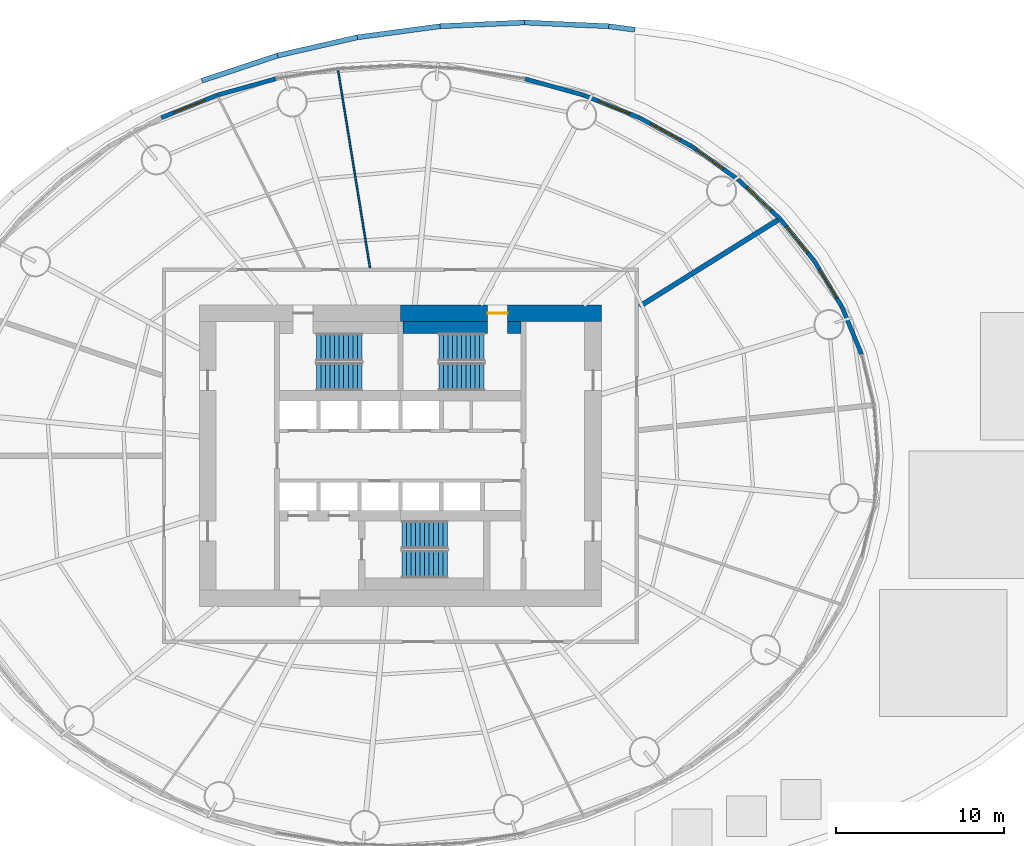
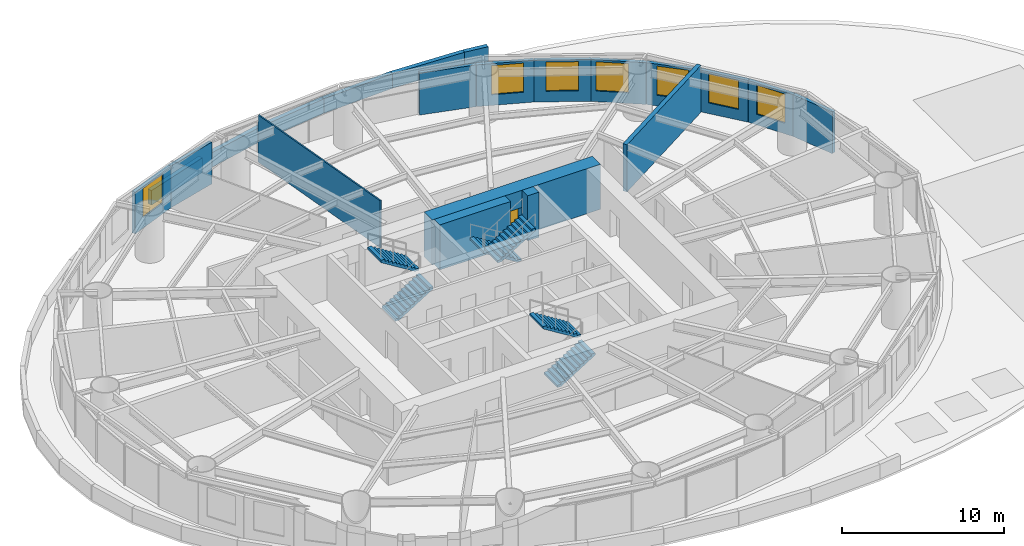
# One storey, part 10 of 11: 21 walls, 7 windows, 6 stair flights, 1 door, 8 openings, 3 elements without a shape of their own.
"""IFC4 building model written with IfcOpenShell, lengths in metres."""

from ifc_helpers import new_model, si_unit, direction, frame, frame_2d, origin, place, context, subcontext, project, spatial, polyline, rectangle, outline, extrude, material, layer, layer_set, type_object, element, fill, aggregate, save


model = new_model("IFC4")

# Units and contexts
model_context = context("Model", 3, precision=1e-05, world=origin(), true_north=direction((0.0, 1.0)))
body_context = subcontext(model_context, "Body", "Model", "MODEL_VIEW")
ifc_project = project(units=[si_unit("LENGTHUNIT", "METRE"), si_unit("AREAUNIT", "SQUARE_METRE"), si_unit("VOLUMEUNIT", "CUBIC_METRE"), si_unit("PLANEANGLEUNIT", "RADIAN"), si_unit("MASSUNIT", "GRAM", prefix="KILO")], contexts=[model_context])

# Site, building, storey
site_placement = place(None, origin())
site = spatial("IfcSite", under=ifc_project, at=site_placement, CompositionType="ELEMENT")
building_placement = place(site_placement, origin())
building = spatial("IfcBuilding", under=site, at=building_placement, Name="Vermilion Reach Broadcast Tower", CompositionType="ELEMENT")
storey_placement = place(building_placement, frame((0.0, 0.0, 36.0)))
storey = spatial("IfcBuildingStorey", under=building, at=storey_placement, Name="L05", CompositionType="ELEMENT", Elevation=36.0)

# Wall, opening, door
ifc_material_1 = material(Name="Concrete C70", Category="concrete")
ifc_layer_1 = layer(ifc_material_1, 1.0)
ifc_layer_set_1 = layer_set([ifc_layer_1], Name="Core outer wall 1000 mm Concrete C70")
wall_type_1 = type_object("IfcWallType", Name="Core outer wall 1000 mm Concrete C70", PredefinedType="SHEAR", material=ifc_layer_set_1)
wall_1_placement = place(storey_placement, frame((6.0, 8.5, 0.0), z_axis=(0.0, 0.0, 1.0), x_axis=(-1.0, 0.0, 0.0)))
wall_1 = element("IfcWall", 1, at=wall_1_placement, inside=storey, type_object=wall_type_1, Name="L05 core wall onE", PredefinedType="SHEAR", context=body_context, shape_type="SweptSolid", body=[
    extrude(rectangle(XDim=12.0, YDim=1.0, at=frame_2d((6.0, 0.0))), origin(), (0.0, 0.0, 1.0), 3.39990234375),
])
opening_1_placement = place(wall_1_placement, frame((5.60009765625, 0.0, 0.0)))
opening_1 = element("IfcOpeningElement", 2, at=opening_1_placement, cuts=wall_1, Name="Opening D01", PredefinedType="OPENING", context=body_context, shape_type="SweptSolid", body=[
    extrude(rectangle(XDim=1.199951171875, YDim=2.10009765625, at=frame_2d((0.60009765625, 1.050048828125))), frame((0.0, 0.510009765625, 0.0), z_axis=(0.0, -1.0, 0.0), x_axis=(1.0, 0.0, 0.0)), (0.0, 0.0, 1.0), 1.02001953125),
])
ifc_material_2 = material(Name="Painted steel fire door", Category="steel")
door_type = type_object("IfcDoorType", Name="Stair door 1200 x 2100", OperationType="DOUBLE_DOOR_SINGLE_SWING", PredefinedType="NOTDEFINED", material=ifc_material_2)
door_placement = place(opening_1_placement, origin())
door = element("IfcDoor", 3, at=door_placement, inside=storey, type_object=door_type, Name="L05 stair door ST2", OperationType="DOUBLE_DOOR_SINGLE_SWING", OverallHeight=2.10009765625, OverallWidth=1.199951171875, PredefinedType="NOTDEFINED", context=body_context, shape_type="SweptSolid", body=[
    extrude(rectangle(XDim=1.199951171875, YDim=2.10009765625, at=frame_2d((0.60009765625, 1.050048828125))), frame((0.0, 0.02490234375, 0.0), z_axis=(0.0, -1.0, 0.0), x_axis=(1.0, 0.0, 0.0)), (0.0, 0.0, 1.0), 0.050048828125),
])
fill(opening_1, door)

# Walls
ifc_material_3 = material(Name="Concrete C70", Category="concrete")
ifc_layer_2 = layer(ifc_material_3, 0.699951171875)
ifc_layer_set_2 = layer_set([ifc_layer_2], Name="Core stair wall 700 mm Concrete C70")
wall_type_2 = type_object("IfcWallType", Name="Core stair wall 700 mm Concrete C70", PredefinedType="SHEAR", material=ifc_layer_set_2)
wall_2_placement = place(storey_placement, frame((-5.85009765625, 7.64990234375, 0.0), z_axis=(0.0, 0.0, 1.0), x_axis=(1.0, 0.0, 0.0)))
element("IfcWall", 4, at=wall_2_placement, inside=storey, type_object=wall_type_2, Name="L05 core wall l2a", PredefinedType="SHEAR", context=body_context, shape_type="SweptSolid", body=[
    extrude(rectangle(XDim=5.050048828125, YDim=0.699951171875, at=frame_2d((2.52490234375, 0.0))), origin(), (0.0, 0.0, 1.0), 3.39990234375),
])
wall_3_placement = place(storey_placement, frame((0.39990234375, 7.64990234375, 0.0), z_axis=(0.0, 0.0, 1.0), x_axis=(1.0, 0.0, 0.0)))
element("IfcWall", 5, at=wall_3_placement, inside=storey, type_object=wall_type_2, Name="L05 core wall l2b", PredefinedType="SHEAR", context=body_context, shape_type="SweptSolid", body=[
    extrude(rectangle(XDim=0.800048828125, YDim=0.699951171875, at=frame_2d((0.39990234375, 0.0))), origin(), (0.0, 0.0, 1.0), 3.39990234375),
])
ifc_material_4 = material(Name="Plasterboard on steel stud", Category="steel")
ifc_layer_3 = layer(ifc_material_4, 0.10009765625)
ifc_layer_set_3 = layer_set([ifc_layer_3], Name="Partition 100 steel stud")
wall_type_3 = type_object("IfcWallType", Name="Partition 100 steel stud", PredefinedType="PARTITIONING", material=ifc_layer_set_3)
wall_4_placement = place(storey_placement, frame((-9.713623046875, 22.9755859375, 0.0), z_axis=(0.0, 0.0, 1.0), x_axis=(0.159567915993, -0.987186953006, 0.0)))
element("IfcWall", 6, at=wall_4_placement, inside=storey, type_object=wall_type_3, Name="Partition 5.03", PredefinedType="PARTITIONING", context=body_context, shape_type="SweptSolid", body=[
    extrude(rectangle(XDim=11.92041015625, YDim=0.10009765625, at=frame_2d((5.960205078125, 0.0))), origin(), (0.0, 0.0, 1.0), 3.550048828125),
])
ifc_material_5 = material(Name="Double-leaf plasterboard on isolated steel stud", Category="steel")
ifc_layer_4 = layer(ifc_material_5, 0.300048828125)
ifc_layer_set_4 = layer_set([ifc_layer_4], Name="Partition 300 acoustic double leaf")
wall_type_4 = type_object("IfcWallType", Name="Partition 300 acoustic double leaf", PredefinedType="PARTITIONING", material=ifc_layer_set_4)
wall_5_placement = place(storey_placement, frame((16.538330078125, 14.076171875, 0.0), z_axis=(0.0, 0.0, 1.0), x_axis=(-0.848172924514, -0.529719444726, 0.0)))
element("IfcWall", 7, at=wall_5_placement, inside=storey, type_object=wall_type_4, Name="Partition 5.02", PredefinedType="PARTITIONING", context=body_context, shape_type="SweptSolid", body=[
    extrude(rectangle(XDim=9.737060546875, YDim=0.300048828125, at=frame_2d((4.86865234375, 0.0))), origin(), (0.0, 0.0, 1.0), 3.550048828125),
])
ifc_material_6 = material(Name="Precast concrete C40/50", Category="concrete")
ifc_layer_5 = layer(ifc_material_6, 0.300048828125)
ifc_layer_set_5 = layer_set([ifc_layer_5], Name="Podium parapet 300")
wall_type_5 = type_object("IfcWallType", Name="Podium parapet 300", PredefinedType="PARAPET", material=ifc_layer_set_5)
wall_6_placement = place(storey_placement, frame((7.99365234375, 25.418212890625, 0.0), z_axis=(0.0, 0.0, 1.0), x_axis=(-0.991147894546, 0.132762386, 0.0)))
element("IfcWall", 8, at=wall_6_placement, inside=storey, type_object=wall_type_5, Name="Podium parapet 01", PredefinedType="PARAPET", context=body_context, shape_type="SweptSolid", body=[
    extrude(rectangle(XDim=1.575927734375, YDim=0.300048828125, at=frame_2d((0.7880859375, 0.0))), origin(), (0.0, 0.0, 1.0), 1.10009765625),
])
for number, where, z_axis, x_axis, name in (
    (9, (6.418701171875, 25.628662109375, 0.0), (0.0, 0.0, 1.0), (-0.999027667676, 0.044087631121, 0.0), "Podium parapet 02"),
    (10, (1.3935546875, 25.849853515625, 0.0), (0.0, 0.0, 1.0), (-0.999027667676, -0.044087631121, 0.0), "Podium parapet 03"),
):
    element("IfcWall", number, at=place(storey_placement, frame(where, z_axis=z_axis, x_axis=x_axis)), inside=storey, type_object=wall_type_5, Name=name, PredefinedType="PARAPET", context=body_context, shape_type="SweptSolid", body=[
        extrude(rectangle(XDim=5.01708984375, YDim=0.300048828125, at=frame_2d((2.508544921875, 0.0))), origin(), (0.0, 0.0, 1.0), 1.10009765625),
    ])
wall_7_placement = place(storey_placement, frame((-3.631591796875, 25.62744140625, 0.0), z_axis=(0.0, 0.0, 1.0), x_axis=(-0.991144901641, -0.132784727852, 0.0)))
element("IfcWall", 11, at=wall_7_placement, inside=storey, type_object=wall_type_5, Name="Podium parapet 04", PredefinedType="PARAPET", context=body_context, shape_type="SweptSolid", body=[
    extrude(rectangle(XDim=4.9697265625, YDim=0.300048828125, at=frame_2d((2.48486328125, 0.0))), origin(), (0.0, 0.0, 1.0), 1.10009765625),
])
wall_8_placement = place(storey_placement, frame((-8.5703125, 24.965087890625, 0.0), z_axis=(0.0, 0.0, 1.0), x_axis=(-0.974849806662, -0.222862860186, 0.0)))
element("IfcWall", 12, at=wall_8_placement, inside=storey, type_object=wall_type_5, Name="Podium parapet 05", PredefinedType="PARAPET", context=body_context, shape_type="SweptSolid", body=[
    extrude(rectangle(XDim=4.876953125, YDim=0.300048828125, at=frame_2d((2.4384765625, 0.0))), origin(), (0.0, 0.0, 1.0), 1.10009765625),
])
wall_9_placement = place(storey_placement, frame((-13.338134765625, 23.87451171875, 0.0), z_axis=(0.0, 0.0, 1.0), x_axis=(-0.949007114017, -0.315254655071, 0.0)))
element("IfcWall", 13, at=wall_9_placement, inside=storey, type_object=wall_type_5, Name="Podium parapet 06", PredefinedType="PARAPET", context=body_context, shape_type="SweptSolid", body=[
    extrude(rectangle(XDim=4.74267578125, YDim=0.300048828125, at=frame_2d((2.371337890625, 0.0))), origin(), (0.0, 0.0, 1.0), 1.10009765625),
])
ifc_material_7 = material(Name="Terracotta rainscreen cladding", Category="masonry")
ifc_layer_6 = layer(ifc_material_7, 0.25)
ifc_layer_set_6 = layer_set([ifc_layer_6], Name="Terracotta rainscreen wall 250")
wall_type_6 = type_object("IfcWallType", Name="Terracotta rainscreen wall 250", PredefinedType="SOLIDWALL", material=ifc_layer_set_6)
wall_10_placement = place(storey_placement, frame((21.512451171875, 6.065673828125, 0.0), z_axis=(0.0, 0.0, 1.0), x_axis=(-0.382665181283, 0.923887092146, 0.0)))
element("IfcWall", 14, at=wall_10_placement, inside=storey, type_object=wall_type_6, Name="External wall L05 02", PredefinedType="SOLIDWALL", context=body_context, shape_type="SweptSolid", body=[
    extrude(rectangle(XDim=3.05029296875, YDim=0.25, at=frame_2d((1.525146484375, 0.0))), origin(), (0.0, 0.0, 1.0), 3.14990234375),
])

# Wall, opening, window
wall_11_placement = place(storey_placement, frame((20.3330078125, 8.907470703125, 0.0), z_axis=(0.0, 0.0, 1.0), x_axis=(-0.51563096518, 0.856810777096, 0.0)))
wall_11 = element("IfcWall", 15, at=wall_11_placement, inside=storey, type_object=wall_type_6, Name="External wall L05 03", PredefinedType="SOLIDWALL", context=body_context, shape_type="SweptSolid", body=[
    extrude(rectangle(XDim=3.161376953125, YDim=0.25, at=frame_2d((1.58056640625, 0.0))), origin(), (0.0, 0.0, 1.0), 3.14990234375),
])
opening_2_placement = place(wall_11_placement, frame((0.580810546875, 0.0, 0.800048828125)))
opening_2 = element("IfcOpeningElement", 16, at=opening_2_placement, cuts=wall_11, Name="Opening W01", PredefinedType="OPENING", context=body_context, shape_type="SweptSolid", body=[
    extrude(rectangle(XDim=2.0, YDim=2.199951171875, at=frame_2d((1.0, 1.10009765625))), frame((0.0, 0.135009765625, 0.0), z_axis=(0.0, -1.0, 0.0), x_axis=(1.0, 0.0, 0.0)), (0.0, 0.0, 1.0), 0.27001953125),
])
ifc_material_8 = material(Name="Low-e laminated clear glass in aluminium frame", Category="aluminium")
window_type = type_object("IfcWindowType", Name="Punched window 2000 x 2200 sill 800", PartitioningType="SINGLE_PANEL", PredefinedType="WINDOW", material=ifc_material_8)
window_1_placement = place(opening_2_placement, origin())
window_1 = element("IfcWindow", 17, at=window_1_placement, inside=storey, type_object=window_type, Name="Window L05 03", OverallHeight=2.199951171875, OverallWidth=2.0, PartitioningType="SINGLE_PANEL", PredefinedType="WINDOW", context=body_context, shape_type="SweptSolid", body=[
    extrude(rectangle(XDim=2.0, YDim=2.199951171875, at=frame_2d((1.0, 1.10009765625))), frame((0.0, 0.030029296875, 0.0), z_axis=(0.0, -1.0, 0.0), x_axis=(1.0, 0.0, 0.0)), (0.0, 0.0, 1.0), 0.06005859375),
])
fill(opening_2, window_1)

wall_12_placement = place(storey_placement, frame((18.688232421875, 11.63720703125, 0.0), z_axis=(0.0, 0.0, 1.0), x_axis=(-0.631970989947, 0.774992043743, 0.0)))
wall_12 = element("IfcWall", 18, at=wall_12_placement, inside=storey, type_object=wall_type_6, Name="External wall L05 04", PredefinedType="SOLIDWALL", context=body_context, shape_type="SweptSolid", body=[
    extrude(rectangle(XDim=3.2451171875, YDim=0.25, at=frame_2d((1.62255859375, 0.0))), origin(), (0.0, 0.0, 1.0), 3.14990234375),
])
opening_3_placement = place(wall_12_placement, frame((0.62255859375, 0.0, 0.800048828125)))
opening_3 = element("IfcOpeningElement", 19, at=opening_3_placement, cuts=wall_12, Name="Opening W01", PredefinedType="OPENING", context=body_context, shape_type="SweptSolid", body=[
    extrude(rectangle(XDim=2.0, YDim=2.199951171875, at=frame_2d((1.0, 1.10009765625))), frame((0.0, 0.135009765625, 0.0), z_axis=(0.0, -1.0, 0.0), x_axis=(1.0, 0.0, 0.0)), (0.0, 0.0, 1.0), 0.27001953125),
])
window_2_placement = place(opening_3_placement, origin())
window_2 = element("IfcWindow", 20, at=window_2_placement, inside=storey, type_object=window_type, Name="Window L05 04", OverallHeight=2.199951171875, OverallWidth=2.0, PartitioningType="SINGLE_PANEL", PredefinedType="WINDOW", context=body_context, shape_type="SweptSolid", body=[
    extrude(rectangle(XDim=2.0, YDim=2.199951171875, at=frame_2d((1.0, 1.10009765625))), frame((0.0, 0.030029296875, 0.0), z_axis=(0.0, -1.0, 0.0), x_axis=(1.0, 0.0, 0.0)), (0.0, 0.0, 1.0), 0.06005859375),
])
fill(opening_3, window_2)

wall_13_placement = place(storey_placement, frame((16.62060546875, 14.170166015625, 0.0), z_axis=(0.0, 0.0, 1.0), x_axis=(-0.730670592597, 0.682730170063, 0.0)))
wall_13 = element("IfcWall", 21, at=wall_13_placement, inside=storey, type_object=wall_type_6, Name="External wall L05 05", PredefinedType="SOLIDWALL", context=body_context, shape_type="SweptSolid", body=[
    extrude(rectangle(XDim=3.335693359375, YDim=0.25, at=frame_2d((1.66796875, 0.0))), origin(), (0.0, 0.0, 1.0), 3.14990234375),
])
opening_4_placement = place(wall_13_placement, frame((0.667724609375, 0.0, 0.800048828125)))
opening_4 = element("IfcOpeningElement", 22, at=opening_4_placement, cuts=wall_13, Name="Opening W01", PredefinedType="OPENING", context=body_context, shape_type="SweptSolid", body=[
    extrude(rectangle(XDim=2.0, YDim=2.199951171875, at=frame_2d((1.0, 1.10009765625))), frame((0.0, 0.135009765625, 0.0), z_axis=(0.0, -1.0, 0.0), x_axis=(1.0, 0.0, 0.0)), (0.0, 0.0, 1.0), 0.27001953125),
])
window_3_placement = place(opening_4_placement, origin())
window_3 = element("IfcWindow", 23, at=window_3_placement, inside=storey, type_object=window_type, Name="Window L05 05", OverallHeight=2.199951171875, OverallWidth=2.0, PartitioningType="SINGLE_PANEL", PredefinedType="WINDOW", context=body_context, shape_type="SweptSolid", body=[
    extrude(rectangle(XDim=2.0, YDim=2.199951171875, at=frame_2d((1.0, 1.10009765625))), frame((0.0, 0.030029296875, 0.0), z_axis=(0.0, -1.0, 0.0), x_axis=(1.0, 0.0, 0.0)), (0.0, 0.0, 1.0), 0.06005859375),
])
fill(opening_4, window_3)

wall_14_placement = place(storey_placement, frame((14.164794921875, 16.462646484375, 0.0), z_axis=(0.0, 0.0, 1.0), x_axis=(-0.812059685452, 0.5835743888, 0.0)))
wall_14 = element("IfcWall", 24, at=wall_14_placement, inside=storey, type_object=wall_type_6, Name="External wall L05 06", PredefinedType="SOLIDWALL", context=body_context, shape_type="SweptSolid", body=[
    extrude(rectangle(XDim=3.4267578125, YDim=0.25, at=frame_2d((1.71337890625, 0.0))), origin(), (0.0, 0.0, 1.0), 3.14990234375),
])
opening_5_placement = place(wall_14_placement, frame((1.113037109375, 0.0, 0.800048828125)))
opening_5 = element("IfcOpeningElement", 25, at=opening_5_placement, cuts=wall_14, Name="Opening W01", PredefinedType="OPENING", context=body_context, shape_type="SweptSolid", body=[
    extrude(rectangle(XDim=2.0, YDim=2.199951171875, at=frame_2d((1.0, 1.10009765625))), frame((0.0, 0.135009765625, 0.0), z_axis=(0.0, -1.0, 0.0), x_axis=(1.0, 0.0, 0.0)), (0.0, 0.0, 1.0), 0.27001953125),
])
window_4_placement = place(opening_5_placement, origin())
window_4 = element("IfcWindow", 26, at=window_4_placement, inside=storey, type_object=window_type, Name="Window L05 06", OverallHeight=2.199951171875, OverallWidth=2.0, PartitioningType="SINGLE_PANEL", PredefinedType="WINDOW", context=body_context, shape_type="SweptSolid", body=[
    extrude(rectangle(XDim=2.0, YDim=2.199951171875, at=frame_2d((1.0, 1.10009765625))), frame((0.0, 0.030029296875, 0.0), z_axis=(0.0, -1.0, 0.0), x_axis=(1.0, 0.0, 0.0)), (0.0, 0.0, 1.0), 0.06005859375),
])
fill(opening_5, window_4)

wall_15_placement = place(storey_placement, frame((11.3623046875, 18.474853515625, 0.0), z_axis=(0.0, 0.0, 1.0), x_axis=(-0.8771213679, 0.480268785134, 0.0)))
wall_15 = element("IfcWall", 27, at=wall_15_placement, inside=storey, type_object=wall_type_6, Name="External wall L05 07", PredefinedType="SOLIDWALL", context=body_context, shape_type="SweptSolid", body=[
    extrude(rectangle(XDim=3.51220703125, YDim=0.25, at=frame_2d((1.756103515625, 0.0))), origin(), (0.0, 0.0, 1.0), 3.14990234375),
])
opening_6_placement = place(wall_15_placement, frame((0.756103515625, 0.0, 0.800048828125)))
opening_6 = element("IfcOpeningElement", 28, at=opening_6_placement, cuts=wall_15, Name="Opening W01", PredefinedType="OPENING", context=body_context, shape_type="SweptSolid", body=[
    extrude(rectangle(XDim=2.0, YDim=2.199951171875, at=frame_2d((1.0, 1.10009765625))), frame((0.0, 0.135009765625, 0.0), z_axis=(0.0, -1.0, 0.0), x_axis=(1.0, 0.0, 0.0)), (0.0, 0.0, 1.0), 0.27001953125),
])
window_5_placement = place(opening_6_placement, origin())
window_5 = element("IfcWindow", 29, at=window_5_placement, inside=storey, type_object=window_type, Name="Window L05 07", OverallHeight=2.199951171875, OverallWidth=2.0, PartitioningType="SINGLE_PANEL", PredefinedType="WINDOW", context=body_context, shape_type="SweptSolid", body=[
    extrude(rectangle(XDim=2.0, YDim=2.199951171875, at=frame_2d((1.0, 1.10009765625))), frame((0.0, 0.030029296875, 0.0), z_axis=(0.0, -1.0, 0.0), x_axis=(1.0, 0.0, 0.0)), (0.0, 0.0, 1.0), 0.06005859375),
])
fill(opening_6, window_5)

wall_16_placement = place(storey_placement, frame((8.26123046875, 20.171142578125, 0.0), z_axis=(0.0, 0.0, 1.0), x_axis=(-0.927147291409, 0.374697077694, 0.0)))
wall_16 = element("IfcWall", 30, at=wall_16_placement, inside=storey, type_object=wall_type_6, Name="External wall L05 08", PredefinedType="SOLIDWALL", context=body_context, shape_type="SweptSolid", body=[
    extrude(rectangle(XDim=3.587646484375, YDim=0.25, at=frame_2d((1.7939453125, 0.0))), origin(), (0.0, 0.0, 1.0), 3.14990234375),
])
opening_7_placement = place(wall_16_placement, frame((0.64404296875, 0.0, 0.800048828125)))
opening_7 = element("IfcOpeningElement", 31, at=opening_7_placement, cuts=wall_16, Name="Opening W01", PredefinedType="OPENING", context=body_context, shape_type="SweptSolid", body=[
    extrude(rectangle(XDim=2.0, YDim=2.199951171875, at=frame_2d((1.0, 1.10009765625))), frame((0.0, 0.135009765625, 0.0), z_axis=(0.0, -1.0, 0.0), x_axis=(1.0, 0.0, 0.0)), (0.0, 0.0, 1.0), 0.27001953125),
])
window_6_placement = place(opening_7_placement, origin())
window_6 = element("IfcWindow", 32, at=window_6_placement, inside=storey, type_object=window_type, Name="Window L05 08", OverallHeight=2.199951171875, OverallWidth=2.0, PartitioningType="SINGLE_PANEL", PredefinedType="WINDOW", context=body_context, shape_type="SweptSolid", body=[
    extrude(rectangle(XDim=2.0, YDim=2.199951171875, at=frame_2d((1.0, 1.10009765625))), frame((0.0, 0.030029296875, 0.0), z_axis=(0.0, -1.0, 0.0), x_axis=(1.0, 0.0, 0.0)), (0.0, 0.0, 1.0), 0.06005859375),
])
fill(opening_7, window_6)

# Walls
for number, where, z_axis, x_axis, name in (
    (33, (4.914306640625, 21.5224609375, 0.0), (0.0, 0.0, 1.0), (-0.963430499259, 0.267958342093, 0.0), "External wall L05 09"),
    (34, (-13.442626953125, 22.488037109375, 0.0), (0.0, 0.0, 1.0), (-0.963430499259, -0.267958342093, 0.0), "External wall L05 14"),
):
    element("IfcWall", number, at=place(storey_placement, frame(where, z_axis=z_axis, x_axis=x_axis)), inside=storey, type_object=wall_type_6, Name=name, PredefinedType="SOLIDWALL", context=body_context, shape_type="SweptSolid", body=[
        extrude(rectangle(XDim=3.603515625, YDim=0.25, at=frame_2d((1.8017578125, 0.0))), origin(), (0.0, 0.0, 1.0), 3.14990234375),
    ])

# Wall, opening, window
wall_17_placement = place(storey_placement, frame((-16.93505859375, 21.515380859375, 0.0), z_axis=(0.0, 0.0, 1.0), x_axis=(-0.927147291409, -0.374697077694, 0.0)))
wall_17 = element("IfcWall", 35, at=wall_17_placement, inside=storey, type_object=wall_type_6, Name="External wall L05 15", PredefinedType="SOLIDWALL", context=body_context, shape_type="SweptSolid", body=[
    extrude(rectangle(XDim=3.587646484375, YDim=0.25, at=frame_2d((1.7939453125, 0.0))), origin(), (0.0, 0.0, 1.0), 3.14990234375),
])
opening_8_placement = place(wall_17_placement, frame((0.793701171875, 0.0, 0.800048828125)))
opening_8 = element("IfcOpeningElement", 36, at=opening_8_placement, cuts=wall_17, Name="Opening W01", PredefinedType="OPENING", context=body_context, shape_type="SweptSolid", body=[
    extrude(rectangle(XDim=2.0, YDim=2.199951171875, at=frame_2d((1.0, 1.10009765625))), frame((0.0, 0.135009765625, 0.0), z_axis=(0.0, -1.0, 0.0), x_axis=(1.0, 0.0, 0.0)), (0.0, 0.0, 1.0), 0.27001953125),
])
window_7_placement = place(opening_8_placement, origin())
window_7 = element("IfcWindow", 37, at=window_7_placement, inside=storey, type_object=window_type, Name="Window L05 15", OverallHeight=2.199951171875, OverallWidth=2.0, PartitioningType="SINGLE_PANEL", PredefinedType="WINDOW", context=body_context, shape_type="SweptSolid", body=[
    extrude(rectangle(XDim=2.0, YDim=2.199951171875, at=frame_2d((1.0, 1.10009765625))), frame((0.0, 0.030029296875, 0.0), z_axis=(0.0, -1.0, 0.0), x_axis=(1.0, 0.0, 0.0)), (0.0, 0.0, 1.0), 0.06005859375),
])
fill(opening_8, window_7)

# Stair, stair flights
ifc_material_9 = material(Name="Concrete C40", Category="concrete")
stair_type = type_object("IfcStairType", Name="Exit stair RC 22 risers 168 mm", PredefinedType="HALF_TURN_STAIR", material=ifc_material_9)
placement = place(storey_placement, origin())
stair_1 = element("IfcStair", 38, at=placement, inside=storey, type_object=stair_type, Name="L05 Exit stair ST1", PredefinedType="HALF_TURN_STAIR")
ifc_material_10 = material(Name="Concrete C40", Category="concrete")
stair_flight_type = type_object("IfcStairFlightType", Name="Exit stair flight RC 11 risers", PredefinedType="STRAIGHT", material=ifc_material_10)
stair_flight_1_placement = place(storey_placement, frame((-11.0, 4.7099609375, 0.0), z_axis=(0.0, 0.0, 1.0), x_axis=(1.0, 0.0, 0.0)))
stair_flight_1 = element("IfcStairFlight", 39, at=stair_flight_1_placement, type_object=stair_flight_type, Name="ST1 flight 1", NumberOfRisers=11, NumberOfTreads=10, PredefinedType="STRAIGHT", RiserHeight=0.168181818, TreadLength=0.27, context=body_context, shape_type="SweptSolid", body=[
    extrude(outline(polyline([(0.0, 0.0), (0.0, 0.168212890625), (0.27001953125, 0.168212890625), (0.27001953125, 0.33642578125), (0.5400390625, 0.33642578125), (0.5400390625, 0.504638671875), (0.81005859375, 0.504638671875), (0.81005859375, 0.672607421875), (1.080078125, 0.672607421875), (1.080078125, 0.8408203125), (1.35009765625, 0.8408203125), (1.35009765625, 1.009033203125), (1.6201171875, 1.009033203125), (1.6201171875, 1.17724609375), (1.889892578125, 1.17724609375), (1.889892578125, 1.345458984375), (2.159912109375, 1.345458984375), (2.159912109375, 1.513671875), (2.429931640625, 1.513671875), (2.429931640625, 1.681884765625), (2.699951171875, 1.681884765625), (2.699951171875, 1.85009765625), (2.699951171875, 1.505126953125), (0.283447265625, 0.0), (0.0, 0.0)])), frame((0.0, 0.830078125, 0.0), z_axis=(0.0, -1.0, 0.0), x_axis=(1.0, 0.0, 0.0)), (0.0, 0.0, 1.0), 1.659912109375),
])
stair_flight_2_placement = place(storey_placement, frame((-8.300048828125, 6.469970703125, 1.85009765625), z_axis=(0.0, 0.0, 1.0), x_axis=(-1.0, 0.0, 0.0)))
stair_flight_2 = element("IfcStairFlight", 40, at=stair_flight_2_placement, type_object=stair_flight_type, Name="ST1 flight 2", NumberOfRisers=11, NumberOfTreads=10, PredefinedType="STRAIGHT", RiserHeight=0.168181818, TreadLength=0.27, context=body_context, shape_type="SweptSolid", body=[
    extrude(outline(polyline([(0.0, 0.0), (0.0, 0.168212890625), (0.27001953125, 0.168212890625), (0.27001953125, 0.33642578125), (0.5400390625, 0.33642578125), (0.5400390625, 0.504638671875), (0.81005859375, 0.504638671875), (0.81005859375, 0.672607421875), (1.080078125, 0.672607421875), (1.080078125, 0.8408203125), (1.35009765625, 0.8408203125), (1.35009765625, 1.009033203125), (1.6201171875, 1.009033203125), (1.6201171875, 1.17724609375), (1.889892578125, 1.17724609375), (1.889892578125, 1.345458984375), (2.159912109375, 1.345458984375), (2.159912109375, 1.513671875), (2.429931640625, 1.513671875), (2.429931640625, 1.681884765625), (2.699951171875, 1.681884765625), (2.699951171875, 1.85009765625), (2.699951171875, 1.505126953125), (0.283447265625, 0.0), (0.0, 0.0)])), frame((0.0, 0.830078125, 0.0), z_axis=(0.0, -1.0, 0.0), x_axis=(1.0, 0.0, 0.0)), (0.0, 0.0, 1.0), 1.659912109375),
])
aggregate(stair_1, [stair_flight_1, stair_flight_2])

stair_2 = element("IfcStair", 41, at=placement, inside=storey, type_object=stair_type, Name="L05 Exit stair ST2", PredefinedType="HALF_TURN_STAIR")
stair_flight_3_placement = place(storey_placement, frame((-1.0, 6.469970703125, 0.0), z_axis=(0.0, 0.0, 1.0), x_axis=(-1.0, 0.0, 0.0)))
stair_flight_3 = element("IfcStairFlight", 42, at=stair_flight_3_placement, type_object=stair_flight_type, Name="ST2 flight 1", NumberOfRisers=11, NumberOfTreads=10, PredefinedType="STRAIGHT", RiserHeight=0.168181818, TreadLength=0.27, context=body_context, shape_type="SweptSolid", body=[
    extrude(outline(polyline([(0.0, 0.0), (0.0, 0.168212890625), (0.27001953125, 0.168212890625), (0.27001953125, 0.33642578125), (0.5400390625, 0.33642578125), (0.5400390625, 0.504638671875), (0.81005859375, 0.504638671875), (0.81005859375, 0.672607421875), (1.080078125, 0.672607421875), (1.080078125, 0.8408203125), (1.35009765625, 0.8408203125), (1.35009765625, 1.009033203125), (1.6201171875, 1.009033203125), (1.6201171875, 1.17724609375), (1.889892578125, 1.17724609375), (1.889892578125, 1.345458984375), (2.159912109375, 1.345458984375), (2.159912109375, 1.513671875), (2.429931640625, 1.513671875), (2.429931640625, 1.681884765625), (2.699951171875, 1.681884765625), (2.699951171875, 1.85009765625), (2.699951171875, 1.505126953125), (0.283447265625, 0.0), (0.0, 0.0)])), frame((0.0, 0.830078125, 0.0), z_axis=(0.0, -1.0, 0.0), x_axis=(1.0, 0.0, 0.0)), (0.0, 0.0, 1.0), 1.659912109375),
])
stair_flight_4_placement = place(storey_placement, frame((-3.699951171875, 4.7099609375, 1.85009765625), z_axis=(0.0, 0.0, 1.0), x_axis=(1.0, 0.0, 0.0)))
stair_flight_4 = element("IfcStairFlight", 43, at=stair_flight_4_placement, type_object=stair_flight_type, Name="ST2 flight 2", NumberOfRisers=11, NumberOfTreads=10, PredefinedType="STRAIGHT", RiserHeight=0.168181818, TreadLength=0.27, context=body_context, shape_type="SweptSolid", body=[
    extrude(outline(polyline([(0.0, 0.0), (0.0, 0.168212890625), (0.27001953125, 0.168212890625), (0.27001953125, 0.33642578125), (0.5400390625, 0.33642578125), (0.5400390625, 0.504638671875), (0.81005859375, 0.504638671875), (0.81005859375, 0.672607421875), (1.080078125, 0.672607421875), (1.080078125, 0.8408203125), (1.35009765625, 0.8408203125), (1.35009765625, 1.009033203125), (1.6201171875, 1.009033203125), (1.6201171875, 1.17724609375), (1.889892578125, 1.17724609375), (1.889892578125, 1.345458984375), (2.159912109375, 1.345458984375), (2.159912109375, 1.513671875), (2.429931640625, 1.513671875), (2.429931640625, 1.681884765625), (2.699951171875, 1.681884765625), (2.699951171875, 1.85009765625), (2.699951171875, 1.505126953125), (0.283447265625, 0.0), (0.0, 0.0)])), frame((0.0, 0.830078125, 0.0), z_axis=(0.0, -1.0, 0.0), x_axis=(1.0, 0.0, 0.0)), (0.0, 0.0, 1.0), 1.659912109375),
])
aggregate(stair_2, [stair_flight_3, stair_flight_4])

stair_3 = element("IfcStair", 44, at=placement, inside=storey, type_object=stair_type, Name="L05 Exit stair ST3", PredefinedType="HALF_TURN_STAIR")
stair_flight_5_placement = place(storey_placement, frame((-5.89990234375, -6.469970703125, 0.0), z_axis=(0.0, 0.0, 1.0), x_axis=(1.0, 0.0, 0.0)))
stair_flight_5 = element("IfcStairFlight", 45, at=stair_flight_5_placement, type_object=stair_flight_type, Name="ST3 flight 1", NumberOfRisers=11, NumberOfTreads=10, PredefinedType="STRAIGHT", RiserHeight=0.168181818, TreadLength=0.27, context=body_context, shape_type="SweptSolid", body=[
    extrude(outline(polyline([(0.0, 0.0), (0.0, 0.168212890625), (0.27001953125, 0.168212890625), (0.27001953125, 0.33642578125), (0.5400390625, 0.33642578125), (0.5400390625, 0.504638671875), (0.81005859375, 0.504638671875), (0.81005859375, 0.672607421875), (1.080078125, 0.672607421875), (1.080078125, 0.8408203125), (1.35009765625, 0.8408203125), (1.35009765625, 1.009033203125), (1.6201171875, 1.009033203125), (1.6201171875, 1.17724609375), (1.889892578125, 1.17724609375), (1.889892578125, 1.345458984375), (2.159912109375, 1.345458984375), (2.159912109375, 1.513671875), (2.429931640625, 1.513671875), (2.429931640625, 1.681884765625), (2.699951171875, 1.681884765625), (2.699951171875, 1.85009765625), (2.699951171875, 1.505126953125), (0.283447265625, 0.0), (0.0, 0.0)])), frame((0.0, 0.830078125, 0.0), z_axis=(0.0, -1.0, 0.0), x_axis=(1.0, 0.0, 0.0)), (0.0, 0.0, 1.0), 1.659912109375),
])
stair_flight_6_placement = place(storey_placement, frame((-3.199951171875, -4.7099609375, 1.85009765625), z_axis=(0.0, 0.0, 1.0), x_axis=(-1.0, 0.0, 0.0)))
stair_flight_6 = element("IfcStairFlight", 46, at=stair_flight_6_placement, type_object=stair_flight_type, Name="ST3 flight 2", NumberOfRisers=11, NumberOfTreads=10, PredefinedType="STRAIGHT", RiserHeight=0.168181818, TreadLength=0.27, context=body_context, shape_type="SweptSolid", body=[
    extrude(outline(polyline([(0.0, 0.0), (0.0, 0.168212890625), (0.27001953125, 0.168212890625), (0.27001953125, 0.33642578125), (0.5400390625, 0.33642578125), (0.5400390625, 0.504638671875), (0.81005859375, 0.504638671875), (0.81005859375, 0.672607421875), (1.080078125, 0.672607421875), (1.080078125, 0.8408203125), (1.35009765625, 0.8408203125), (1.35009765625, 1.009033203125), (1.6201171875, 1.009033203125), (1.6201171875, 1.17724609375), (1.889892578125, 1.17724609375), (1.889892578125, 1.345458984375), (2.159912109375, 1.345458984375), (2.159912109375, 1.513671875), (2.429931640625, 1.513671875), (2.429931640625, 1.681884765625), (2.699951171875, 1.681884765625), (2.699951171875, 1.85009765625), (2.699951171875, 1.505126953125), (0.283447265625, 0.0), (0.0, 0.0)])), frame((0.0, 0.830078125, 0.0), z_axis=(0.0, -1.0, 0.0), x_axis=(1.0, 0.0, 0.0)), (0.0, 0.0, 1.0), 1.659912109375),
])
aggregate(stair_3, [stair_flight_5, stair_flight_6])

save(model, "model.ifc")
